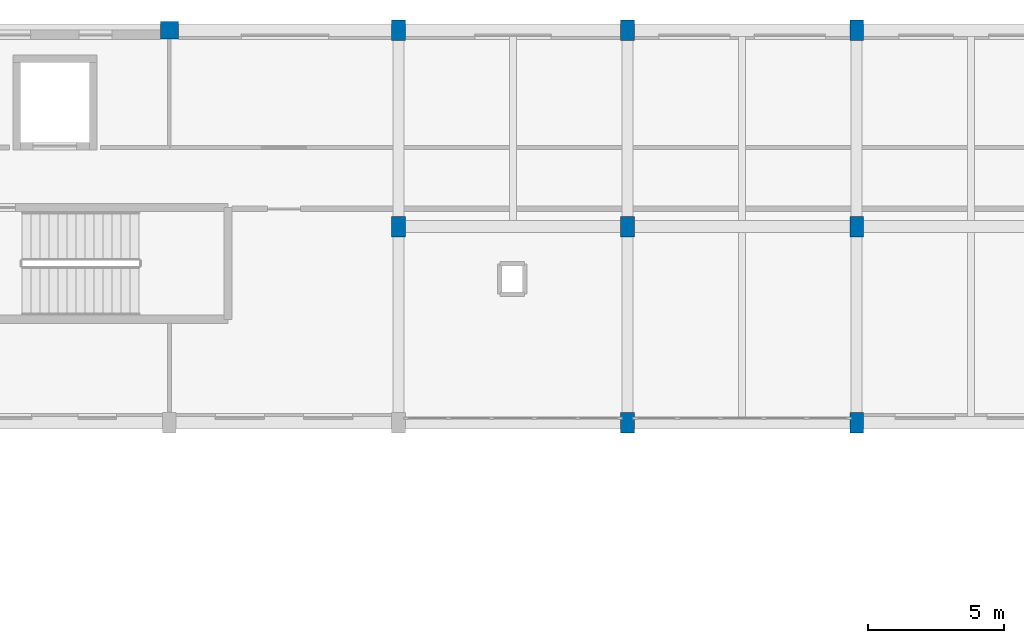
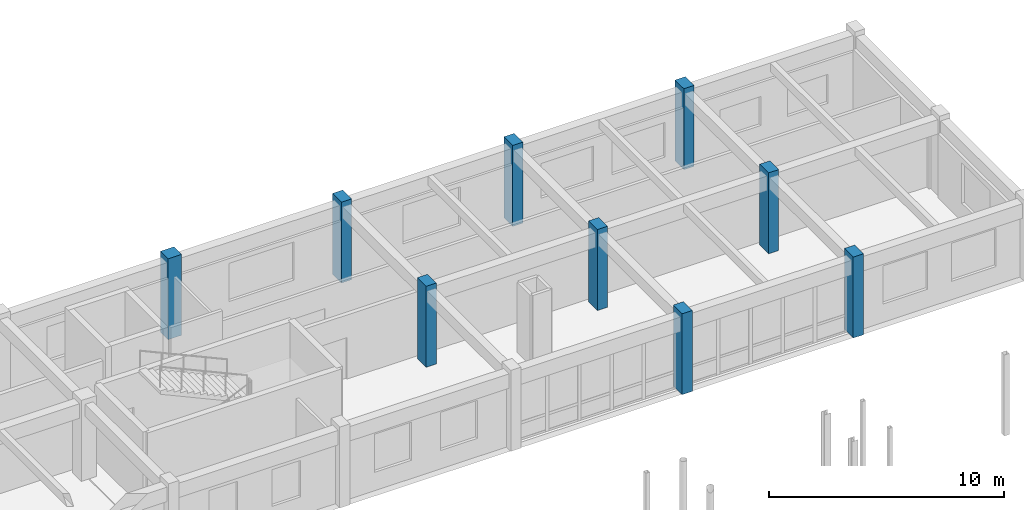
# One storey, part 24 of 90: 9 columns.
"""IFC4 building model written with IfcOpenShell, lengths in metres."""

from ifc_helpers import new_model, si_unit, direction, frame, origin, origin_2d, place, context, subcontext, project, spatial, rectangle, extrude, material, material_profile, profile_set, type_object, element, save


model = new_model("IFC4")

# Units and contexts
model_context = context("Model", 3, precision=1e-05, world=origin(), true_north=direction((0.0, 1.0)))
body_context = subcontext(model_context, "Body", "Model", "MODEL_VIEW")
ifc_project = project(units=[si_unit("LENGTHUNIT", "METRE"), si_unit("AREAUNIT", "SQUARE_METRE"), si_unit("VOLUMEUNIT", "CUBIC_METRE"), si_unit("PLANEANGLEUNIT", "RADIAN"), si_unit("MASSUNIT", "GRAM", prefix="KILO")], contexts=[model_context])

# Site, building, storey
site_placement = place(None, origin())
site = spatial("IfcSite", under=ifc_project, at=site_placement, CompositionType="ELEMENT")
building_placement = place(site_placement, origin())
building = spatial("IfcBuilding", under=site, at=building_placement, Name="Malvenik Polytechnic", CompositionType="ELEMENT")
storey_placement = place(building_placement, frame((0.0, 0.0, 9.300048828125)))
storey = spatial("IfcBuildingStorey", under=building, at=storey_placement, Name="L02", CompositionType="ELEMENT", Elevation=9.300048828125)

# Columns
ifc_material = material(Name="Concrete C35/45", Category="concrete")
ifc_material_profile_1 = material_profile(ifc_material, rectangle(XDim=0.64990234375, YDim=0.64990234375, at=origin_2d()), Name="RC COL 650x650")
ifc_profile_set_1 = profile_set([ifc_material_profile_1], Name="Concrete C35/45")
column_type_1 = type_object("IfcColumnType", Name="STR-COL-C-05", PredefinedType="COLUMN", material=ifc_profile_set_1)
column_placement = place(storey_placement, frame((100.800048828125, 129.60009765625, 0.0), z_axis=(0.0, 0.0, 1.0), x_axis=(1.0, 0.0, 0.0)))
element("IfcColumn", 1, at=column_placement, inside=storey, type_object=column_type_1, Name="Column C-05 L02 (100.8,129.6)", PredefinedType="COLUMN", context=body_context, shape_type="SweptSolid", body=[
    extrude(rectangle(XDim=0.64990234375, YDim=0.64990234375, at=origin_2d()), origin(), (0.0, 0.0, 1.0), 4.199951171875),
])
ifc_material_profile_2 = material_profile(ifc_material, rectangle(XDim=0.5, YDim=0.75, at=origin_2d()), Name="RC COL 750x500")
ifc_profile_set_2 = profile_set([ifc_material_profile_2], Name="Concrete C35/45")
column_type_2 = type_object("IfcColumnType", Name="STR-COL-C-14", PredefinedType="COLUMN", material=ifc_profile_set_2)
for number, where, z_axis, x_axis, name in (
    (2, (109.199951171875, 122.39990234375, 0.0), (0.0, 0.0, 1.0), (1.0, 0.0, 0.0), "Column C-14 L02 (109.2,122.4)"),
    (3, (109.199951171875, 129.60009765625, 0.0), (0.0, 0.0, 1.0), (1.0, 0.0, 0.0), "Column C-14 L02 (109.2,129.6)"),
    (4, (117.60009765625, 115.199951171875, 0.0), (0.0, 0.0, 1.0), (1.0, 0.0, 0.0), "Column C-14 L02 (117.6,115.2)"),
    (5, (117.60009765625, 122.39990234375, 0.0), (0.0, 0.0, 1.0), (1.0, 0.0, 0.0), "Column C-14 L02 (117.6,122.4)"),
    (6, (117.60009765625, 129.60009765625, 0.0), (0.0, 0.0, 1.0), (1.0, 0.0, 0.0), "Column C-14 L02 (117.6,129.6)"),
    (7, (126.0, 115.199951171875, 0.0), (0.0, 0.0, 1.0), (1.0, 0.0, 0.0), "Column C-14 L02 (126.0,115.2)"),
    (8, (126.0, 122.39990234375, 0.0), (0.0, 0.0, 1.0), (1.0, 0.0, 0.0), "Column C-14 L02 (126.0,122.4)"),
    (9, (126.0, 129.60009765625, 0.0), (0.0, 0.0, 1.0), (1.0, 0.0, 0.0), "Column C-14 L02 (126.0,129.6)"),
):
    element("IfcColumn", number, at=place(storey_placement, frame(where, z_axis=z_axis, x_axis=x_axis)), inside=storey, type_object=column_type_2, Name=name, PredefinedType="COLUMN", context=body_context, shape_type="SweptSolid", body=[
        extrude(rectangle(XDim=0.5, YDim=0.75, at=origin_2d()), origin(), (0.0, 0.0, 1.0), 4.199951171875),
    ])

save(model, "model.ifc")
